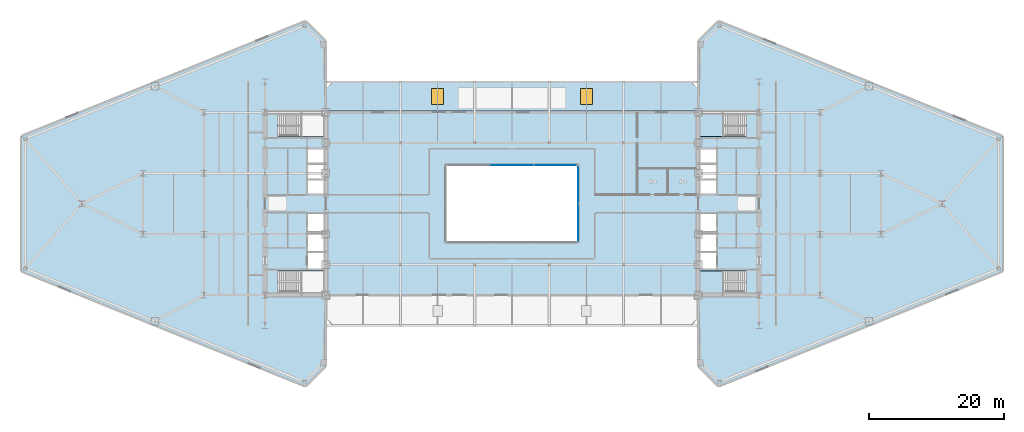
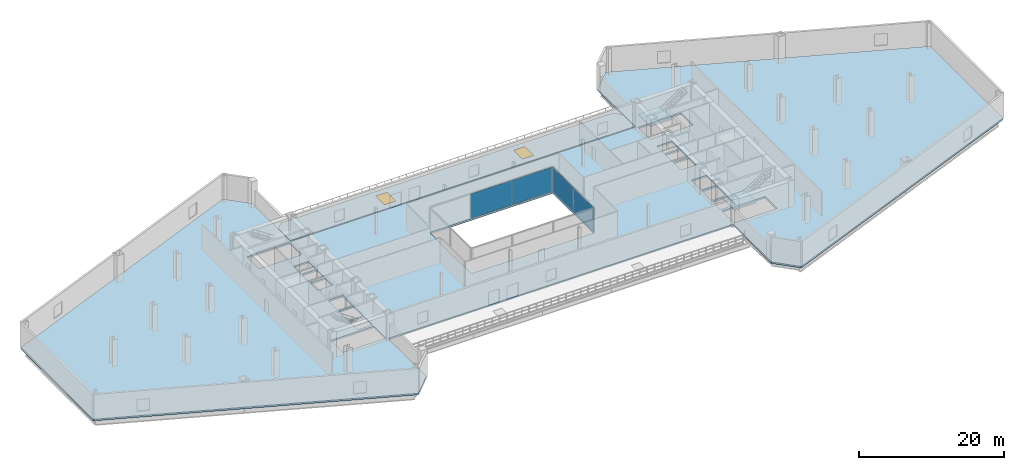
# One storey, part 14 of 23: 4 plates, 4 slabs, 2 windows, 2 openings, 4 elements without a shape of their own.
"""IFC4 building model written with IfcOpenShell, lengths in metres."""

import ifcopenshell
import ifcopenshell.guid

model = None  # the IFC model being written
_history = None  # IfcOwnerHistory: only IFC2X3 demands one
_inside = {}  # id of a spatial element -> (the spatial element, [elements in it])
_under = {}  # id of a project, library or spatial element -> (it, [spatial elements below it])
_declared = {}  # id of a project -> (the project, [libraries it declares])
_typed = {}  # id of a type object -> (the type object, [elements of that type])
_made_of = {}  # id of a material, layer set ... -> (it, [elements and type objects made of it])


def new_model(schema):
    """Start an empty IFC model of exactly this schema.

    Asked for "IFC4X3", IfcOpenShell would pick the latest addendum, in which some entities
    have other attributes; the version numbers below select the first issue.
    IFC2X3 requires an IfcOwnerHistory on every rooted entity: one is made here for all.
    """
    global model, _history
    if schema == "IFC4X3":
        model = ifcopenshell.file(schema_version=(4, 3, 0, 0))
    else:
        model = ifcopenshell.file(schema=schema)
    _inside.clear()
    _under.clear()
    _declared.clear()
    _typed.clear()
    _made_of.clear()
    _history = None
    if model.schema == "IFC2X3":
        org = make("IfcOrganization", Name="unknown")
        user = make(
            "IfcPersonAndOrganization",
            ThePerson=make("IfcPerson", FamilyName="unknown"),
            TheOrganization=org,
        )
        app = make(
            "IfcApplication",
            ApplicationDeveloper=org,
            Version="unknown",
            ApplicationFullName="unknown",
            ApplicationIdentifier="unknown",
        )
        _history = make(
            "IfcOwnerHistory",
            OwningUser=user,
            OwningApplication=app,
            ChangeAction="ADDED",
            CreationDate=0,
        )
    return model


def make(cls, **values):
    """One entity of the class cls with the attributes given. An attribute that is None is left unset."""
    return model.create_entity(
        cls, **{name: value for name, value in values.items() if value is not None}
    )


def rooted(cls, **values):
    """An entity with a GlobalId (a new one), such as an element, a storey or a relation."""
    return make(cls, GlobalId=ifcopenshell.guid.new(), OwnerHistory=_history, **values)


def si_unit(unit_type, name, prefix=None):
    """IfcSIUnit, for example si_unit("LENGTHUNIT", "METRE", prefix="MILLI")."""
    return make("IfcSIUnit", UnitType=unit_type, Prefix=prefix, Name=name)


def assignment(units):
    """IfcUnitAssignment: the units of a project."""
    return None if units is None else make("IfcUnitAssignment", Units=units)


def point(xyz):
    """IfcCartesianPoint."""
    return None if xyz is None else make("IfcCartesianPoint", Coordinates=xyz)


def direction(xyz):
    """IfcDirection."""
    return None if xyz is None else make("IfcDirection", DirectionRatios=xyz)


def frame(location, z_axis=None, x_axis=None):
    """IfcAxis2Placement3D, a coordinate frame: its origin and axes. An axis left out is left unset."""
    return make(
        "IfcAxis2Placement3D",
        Location=point(location),
        Axis=direction(z_axis),
        RefDirection=direction(x_axis),
    )


def frame_2d(location, x_axis=None):
    """IfcAxis2Placement2D, a coordinate frame in the plane: its origin and x axis."""
    return make(
        "IfcAxis2Placement2D", Location=point(location), RefDirection=direction(x_axis)
    )


def origin():
    """The frame at (0, 0, 0) with its axes left unset."""
    return frame((0.0, 0.0, 0.0))


def origin_2d():
    """The frame at (0, 0) in the plane with its x axis left unset."""
    return frame_2d((0.0, 0.0))


def place(relative_to, where):
    """IfcLocalPlacement: puts the frame where relative to a parent placement (None: the world)."""
    return make(
        "IfcLocalPlacement", PlacementRelTo=relative_to, RelativePlacement=where
    )


def context(
    kind, dimensions, precision=None, world=None, true_north=None, identifier=None
):
    """IfcGeometricRepresentationContext, for example the 3D "Model" context."""
    return make(
        "IfcGeometricRepresentationContext",
        ContextIdentifier=identifier,
        ContextType=kind,
        CoordinateSpaceDimension=dimensions,
        Precision=precision,
        WorldCoordinateSystem=world,
        TrueNorth=true_north,
    )


def subcontext(parent, identifier, kind, view, scale=None):
    """IfcGeometricRepresentationSubContext, for example "Body" below "Model"."""
    return make(
        "IfcGeometricRepresentationSubContext",
        ContextIdentifier=identifier,
        ContextType=kind,
        ParentContext=parent,
        TargetScale=scale,
        TargetView=view,
    )


def project(units=None, contexts=None):
    """IfcProject with its units and contexts."""
    return rooted(
        "IfcProject",
        Name="project",
        RepresentationContexts=contexts,
        UnitsInContext=assignment(units),
    )


def spatial(cls, under=None, at=None, **own):
    """A site, building, storey or space (cls), placed at a placement, below another one or the project."""
    s = rooted(cls, ObjectPlacement=at, **own)
    if under is not None:
        _under.setdefault(under.id(), (under, []))[1].append(s)
    return s


def polyline(points):
    """IfcPolyline through the points."""
    return make("IfcPolyline", Points=[point(p) for p in points])


def profile(cls, at=None, kind="AREA", **sizes):
    """A parametric profile (cls). Its sizes go by their IFC names, for example OverallWidth=200.0."""
    return make(cls, ProfileType=kind, Position=at, **sizes)


def rectangle(**sizes):
    """IfcRectangleProfileDef."""
    return profile("IfcRectangleProfileDef", **sizes)


def outline(outer, holes=None, kind="AREA"):
    """IfcArbitraryClosedProfileDef: a profile drawn as a closed curve; with holes, ...WithVoids."""
    if holes is None:
        return make("IfcArbitraryClosedProfileDef", ProfileType=kind, OuterCurve=outer)
    return make(
        "IfcArbitraryProfileDefWithVoids",
        ProfileType=kind,
        OuterCurve=outer,
        InnerCurves=holes,
    )


def extrude(swept, where, along, depth):
    """IfcExtrudedAreaSolid: the profile swept, set in the frame where, extruded along a direction by depth."""
    return make(
        "IfcExtrudedAreaSolid",
        SweptArea=swept,
        Position=where,
        ExtrudedDirection=direction(along),
        Depth=depth,
    )


def shape(context_of_items, identifier, shape_type, items):
    """IfcShapeRepresentation: the items that make up one representation, for example the "Body"."""
    return make(
        "IfcShapeRepresentation",
        ContextOfItems=context_of_items,
        RepresentationIdentifier=identifier,
        RepresentationType=shape_type,
        Items=items,
    )


def source(mapping_origin, context_of_items, identifier, shape_type, items):
    """IfcRepresentationMap: a shape defined once, which mapped items show again and again."""
    return make(
        "IfcRepresentationMap",
        MappingOrigin=mapping_origin,
        MappedRepresentation=shape(context_of_items, identifier, shape_type, items),
    )


def transform(
    local_origin,
    x_axis=None,
    y_axis=None,
    z_axis=None,
    scale=None,
    scale2=None,
    scale3=None,
    uniform=True,
):
    """IfcCartesianTransformationOperator3D, or its non-uniform kind. x_axis, y_axis, z_axis: its Axis1, 2, 3."""
    if uniform:
        return make(
            "IfcCartesianTransformationOperator3D",
            Axis1=direction(x_axis),
            Axis2=direction(y_axis),
            LocalOrigin=point(local_origin),
            Scale=scale,
            Axis3=direction(z_axis),
        )
    return make(
        "IfcCartesianTransformationOperator3DnonUniform",
        Axis1=direction(x_axis),
        Axis2=direction(y_axis),
        LocalOrigin=point(local_origin),
        Scale=scale,
        Axis3=direction(z_axis),
        Scale2=scale2,
        Scale3=scale3,
    )


def mapped(mapping_source, mapping_target):
    """IfcMappedItem: shows the shape of a source again, moved by a transform."""
    return make(
        "IfcMappedItem", MappingSource=mapping_source, MappingTarget=mapping_target
    )


def material(Name=None, Category=None):
    """IfcMaterial."""
    return make("IfcMaterial", Name=Name, Category=Category)


def layer(
    of_material, thickness, ventilated=None, Name=None, Category=None, Priority=None
):
    """IfcMaterialLayer: one layer of a wall or slab, of a material (None: an air gap)."""
    return make(
        "IfcMaterialLayer",
        Material=of_material,
        LayerThickness=thickness,
        IsVentilated=ventilated,
        Name=Name,
        Category=Category,
        Priority=Priority,
    )


def layer_set(layers, Name=None):
    """IfcMaterialLayerSet."""
    return make("IfcMaterialLayerSet", MaterialLayers=layers, LayerSetName=Name)


def made_of(thing, what):
    """Note that an element or type object is made of a material, layer set ...; save() writes the relation."""
    if what is not None:
        _made_of.setdefault(what.id(), (what, []))[1].append(thing)
    return thing


def type_object(cls, material=None, **own):
    """A type object (cls), such as IfcWallType, which elements share."""
    return made_of(rooted(cls, **own), material)


def type_shapes(of_type, sources):
    """Give a type object the sources (RepresentationMaps) that its elements show as mapped items."""
    of_type.RepresentationMaps = sources


def element(
    cls,
    number,
    at=None,
    inside=None,
    cuts=None,
    type_object=None,
    material=None,
    context=None,
    identifier="Body",
    shape_type=None,
    held_by="IfcProductDefinitionShape",
    body=None,
    shapes=None,
    **own,
):
    """One element of the class cls, such as IfcWall. Its Tag is "e" and its number.

    at: its placement. inside: the storey or other place that contains it. cuts: it is an
    opening in that element (IfcRelVoidsElement). A single representation is given by context,
    identifier, shape_type and body (its items); several are given by shapes. held_by: the class
    of the entity that holds the representations. save() writes the other relations.
    """
    e = rooted(cls, Tag="e%d" % number, ObjectPlacement=at, **own)
    if body is not None:
        shapes = [shape(context, identifier, shape_type, body)]
    if shapes is not None:
        e.Representation = make(held_by, Representations=shapes)
    if inside is not None:
        _inside.setdefault(inside.id(), (inside, []))[1].append(e)
    if cuts is not None:
        rooted(
            "IfcRelVoidsElement", RelatingBuildingElement=cuts, RelatedOpeningElement=e
        )
    if type_object is not None:
        _typed.setdefault(type_object.id(), (type_object, []))[1].append(e)
    return made_of(e, material)


def fill(opening, filler):
    """IfcRelFillsElement: the door or window that sits in an opening."""
    return rooted(
        "IfcRelFillsElement",
        RelatingOpeningElement=opening,
        RelatedBuildingElement=filler,
    )


def aggregate(whole, parts):
    """IfcRelAggregates: a whole, such as a stair, and the parts it consists of."""
    return rooted("IfcRelAggregates", RelatingObject=whole, RelatedObjects=parts)


def save(model, path):
    """Write the relations noted so far, then the file.

    IfcRelAggregates (storeys below a building ...), IfcRelContainedInSpatialStructure (elements
    in a storey), IfcRelDefinesByType, IfcRelAssociatesMaterial and IfcRelDeclares: one each for
    every whole, place, type object, material and project.
    """
    for whole, parts in _under.values():
        aggregate(whole, parts)
    for where, things in _inside.values():
        rooted(
            "IfcRelContainedInSpatialStructure",
            RelatedElements=things,
            RelatingStructure=where,
        )
    for kind, things in _typed.values():
        rooted("IfcRelDefinesByType", RelatedObjects=things, RelatingType=kind)
    for what, things in _made_of.values():
        rooted("IfcRelAssociatesMaterial", RelatedObjects=things, RelatingMaterial=what)
    for by, libraries in _declared.values():
        rooted("IfcRelDeclares", RelatingContext=by, RelatedDefinitions=libraries)
    model.write(path)


model = new_model("IFC4")

# Units and contexts
model_context = context("Model", 3, precision=1e-05, world=origin(), true_north=direction((0.0, 1.0)))
body_context = subcontext(model_context, "Body", "Model", "MODEL_VIEW")
ifc_project = project(units=[si_unit("LENGTHUNIT", "METRE"), si_unit("AREAUNIT", "SQUARE_METRE"), si_unit("VOLUMEUNIT", "CUBIC_METRE"), si_unit("PLANEANGLEUNIT", "RADIAN"), si_unit("MASSUNIT", "GRAM", prefix="KILO")], contexts=[model_context])

# Site, building, storey
site_placement = place(None, origin())
site = spatial("IfcSite", under=ifc_project, at=site_placement, CompositionType="ELEMENT")
building_placement = place(site_placement, origin())
building = spatial("IfcBuilding", under=site, at=building_placement, Name="Seokmaru Belvedere", CompositionType="ELEMENT")
storey_placement = place(building_placement, frame((0.0, 0.0, 14.39990234375)))
storey = spatial("IfcBuildingStorey", under=building, at=storey_placement, Name="L03", CompositionType="ELEMENT", Elevation=14.39990234375)

# Slab, openings, windows
ifc_material_1 = material(Name="Concrete C40 (40 MPa)", Category="concrete")
ifc_layer_1 = layer(ifc_material_1, 0.239990234375)
ifc_layer_set_1 = layer_set([ifc_layer_1], Name="Concrete C40 (40 MPa)")
slab_type_1 = type_object("IfcSlabType", Name="Planted Garden Terrace Slab 240", PredefinedType="ROOF", material=ifc_layer_set_1)
slab_1_placement = place(storey_placement, frame((0.0, 0.0, -0.239990234375)))
slab_1 = element("IfcSlab", 1, at=slab_1_placement, inside=storey, type_object=slab_type_1, Name="L03 Cascading Planted Garden Terrace North", PredefinedType="ROOF", context=body_context, shape_type="SweptSolid", body=[
    extrude(outline(polyline([(-27.449951171875, 13.659912109375), (27.449951171875, 13.659912109375), (27.449951171875, 17.0), (26.449951171875, 18.0), (-26.449951171875, 18.0), (-27.449951171875, 17.0), (-27.449951171875, 13.659912109375)])), origin(), (0.0, 0.0, 1.0), 0.239990234375),
])
opening_1_placement = place(slab_1_placement, frame((-11.0, 15.830078125, -0.010009765625)))
opening_1 = element("IfcOpeningElement", 2, at=opening_1_placement, cuts=slab_1, Name="Opening SK2", PredefinedType="OPENING", context=body_context, shape_type="SweptSolid", body=[
    extrude(rectangle(XDim=1.800048828125, YDim=2.39990234375, at=origin_2d()), origin(), (0.0, 0.0, 1.0), 0.260009765625),
])
opening_2_placement = place(slab_1_placement, frame((11.0, 15.830078125, -0.010009765625)))
opening_2 = element("IfcOpeningElement", 3, at=opening_2_placement, cuts=slab_1, Name="Opening SK2", PredefinedType="OPENING", context=body_context, shape_type="SweptSolid", body=[
    extrude(rectangle(XDim=1.800048828125, YDim=2.39990234375, at=origin_2d()), origin(), (0.0, 0.0, 1.0), 0.260009765625),
])
ifc_material_2 = material(Name="Bronze Triple Insulating Glass", Category="glass")
window_type = type_object("IfcWindowType", Name="Gallery Daylight Skylight 1800x2400", PartitioningType="SINGLE_PANEL", PredefinedType="SKYLIGHT", material=ifc_material_2)
window_1_placement = place(opening_1_placement, frame((0.0, 0.0, 0.199951171875)))
window_1 = element("IfcWindow", 4, at=window_1_placement, inside=storey, type_object=window_type, Name="L03 Podium Garden Rooflight 1", OverallHeight=2.39990234375, OverallWidth=1.800048828125, PartitioningType="SINGLE_PANEL", PredefinedType="SKYLIGHT", context=body_context, shape_type="SweptSolid", body=[
    extrude(rectangle(XDim=1.800048828125, YDim=2.39990234375, at=origin_2d()), origin(), (0.0, 0.0, 1.0), 0.050048828125),
])
fill(opening_1, window_1)
window_2_placement = place(opening_2_placement, frame((0.0, 0.0, 0.199951171875)))
window_2 = element("IfcWindow", 5, at=window_2_placement, inside=storey, type_object=window_type, Name="L03 Podium Garden Rooflight 2", OverallHeight=2.39990234375, OverallWidth=1.800048828125, PartitioningType="SINGLE_PANEL", PredefinedType="SKYLIGHT", context=body_context, shape_type="SweptSolid", body=[
    extrude(rectangle(XDim=1.800048828125, YDim=2.39990234375, at=origin_2d()), origin(), (0.0, 0.0, 1.0), 0.050048828125),
])
fill(opening_2, window_2)

# Slab
ifc_material_3 = material(Name="Concrete C50 (50 MPa)", Category="concrete")
ifc_layer_2 = layer(ifc_material_3, 0.280029296875)
ifc_layer_set_2 = layer_set([ifc_layer_2], Name="Concrete C50 (50 MPa)")
slab_type_2 = type_object("IfcSlabType", Name="Podium Composite Floor Slab 280", PredefinedType="FLOOR", material=ifc_layer_set_2)
slab_2_placement = place(storey_placement, frame((0.0, 0.0, -0.27978515625)))
element("IfcSlab", 6, at=slab_2_placement, inside=storey, type_object=slab_type_2, Name="L03 Structural Floor Slab", PredefinedType="FLOOR", context=body_context, shape_type="SweptSolid", body=[
    extrude(outline(polyline([(-72.5, -10.0), (-30.5, -27.0), (-27.5, -24.0), (-27.5, -13.5), (27.5, -13.5), (27.5, -24.0), (30.5, -27.0), (72.5, -10.0), (72.5, 10.0), (30.5, 27.0), (27.5, 24.0), (27.5, 13.5), (-27.5, 13.5), (-27.5, 24.0), (-30.5, 27.0), (-72.5, 10.0), (-72.5, -10.0)]), holes=[polyline([(-34.60009765625, -13.25), (-27.75, -13.25), (-27.75, -9.949951171875), (-34.60009765625, -9.949951171875), (-34.60009765625, -13.25)]), polyline([(-34.60009765625, 9.949951171875), (-27.75, 9.949951171875), (-27.75, 13.25), (-34.60009765625, 13.25), (-34.60009765625, 9.949951171875)]), polyline([(27.75, -13.25), (34.60009765625, -13.25), (34.60009765625, -9.949951171875), (27.75, -9.949951171875), (27.75, -13.25)]), polyline([(27.75, 9.949951171875), (34.60009765625, 9.949951171875), (34.60009765625, 13.25), (27.75, 13.25), (27.75, 9.949951171875)]), polyline([(-30.14990234375, -9.550048828125), (-27.75, -9.550048828125), (-27.75, -7.25), (-30.14990234375, -7.25), (-30.14990234375, -9.550048828125)]), polyline([(-30.14990234375, -6.949951171875), (-27.75, -6.949951171875), (-27.75, -4.35009765625), (-30.14990234375, -4.35009765625), (-30.14990234375, -6.949951171875)]), polyline([(-30.14990234375, -4.050048828125), (-27.75, -4.050048828125), (-27.75, -1.449951171875), (-30.14990234375, -1.449951171875), (-30.14990234375, -4.050048828125)]), polyline([(-30.14990234375, 1.449951171875), (-27.75, 1.449951171875), (-27.75, 3.449951171875), (-30.14990234375, 3.449951171875), (-30.14990234375, 1.449951171875)]), polyline([(-30.14990234375, 3.75), (-27.75, 3.75), (-27.75, 5.75), (-30.14990234375, 5.75), (-30.14990234375, 3.75)]), polyline([(-30.14990234375, 6.050048828125), (-27.75, 6.050048828125), (-27.75, 8.050048828125), (-30.14990234375, 8.050048828125), (-30.14990234375, 6.050048828125)]), polyline([(27.75, -9.550048828125), (30.14990234375, -9.550048828125), (30.14990234375, -7.25), (27.75, -7.25), (27.75, -9.550048828125)]), polyline([(27.75, -6.949951171875), (30.14990234375, -6.949951171875), (30.14990234375, -4.35009765625), (27.75, -4.35009765625), (27.75, -6.949951171875)]), polyline([(27.75, -4.050048828125), (30.14990234375, -4.050048828125), (30.14990234375, -1.449951171875), (27.75, -1.449951171875), (27.75, -4.050048828125)]), polyline([(27.75, 1.449951171875), (30.14990234375, 1.449951171875), (30.14990234375, 3.449951171875), (27.75, 3.449951171875), (27.75, 1.449951171875)]), polyline([(27.75, 3.75), (30.14990234375, 3.75), (30.14990234375, 5.75), (27.75, 5.75), (27.75, 3.75)]), polyline([(27.75, 6.050048828125), (30.14990234375, 6.050048828125), (30.14990234375, 8.050048828125), (27.75, 8.050048828125), (27.75, 6.050048828125)]), polyline([(-9.800048828125, -5.699951171875), (9.800048828125, -5.699951171875), (9.800048828125, 5.699951171875), (-9.800048828125, 5.699951171875), (-9.800048828125, -5.699951171875)])]), origin(), (0.0, 0.0, 1.0), 0.27978515625),
])

# Stair, slab
stair_type = type_object("IfcStairType", Name="Cascading Podium Core Dog-Leg Stair 4500", PredefinedType="TWO_STRAIGHT_RUN_STAIR", material=ifc_material_1)
stair_1_placement = place(storey_placement, origin())
stair_1 = element("IfcStair", 7, at=stair_1_placement, inside=storey, type_object=stair_type, Name="L03 Special Escape Stair ST-E1", PredefinedType="TWO_STRAIGHT_RUN_STAIR")
ifc_layer_3 = layer(ifc_material_1, 0.199951171875)
ifc_layer_set_3 = layer_set([ifc_layer_3], Name="Concrete C40 (40 MPa)")
slab_type_3 = type_object("IfcSlabType", Name="Reinforced Concrete Stair Landing Slab 200", PredefinedType="LANDING", material=ifc_layer_set_3)
slab_3_placement = place(storey_placement, frame((0.0, 0.0, 2.050048828125)))
slab_3 = element("IfcSlab", 8, at=slab_3_placement, type_object=slab_type_3, Name="ST-E1 landing 1", PredefinedType="LANDING", context=body_context, shape_type="SweptSolid", body=[
    extrude(outline(polyline([(27.760009765625, -13.239990234375), (31.320068359375, -13.239990234375), (31.320068359375, -9.949951171875), (27.760009765625, -9.949951171875), (27.760009765625, -13.239990234375)])), origin(), (0.0, 0.0, 1.0), 0.199951171875),
])
aggregate(stair_1, [slab_3])

stair_2_placement = place(storey_placement, origin())
stair_2 = element("IfcStair", 9, at=stair_2_placement, inside=storey, type_object=stair_type, Name="L03 Special Escape Stair ST-E2", PredefinedType="TWO_STRAIGHT_RUN_STAIR")
slab_4_placement = place(storey_placement, frame((0.0, 0.0, 2.050048828125)))
slab_4 = element("IfcSlab", 10, at=slab_4_placement, type_object=slab_type_3, Name="ST-E2 landing 1", PredefinedType="LANDING", context=body_context, shape_type="SweptSolid", body=[
    extrude(outline(polyline([(27.760009765625, 9.949951171875), (31.320068359375, 9.949951171875), (31.320068359375, 13.239990234375), (27.760009765625, 13.239990234375), (27.760009765625, 9.949951171875)])), origin(), (0.0, 0.0, 1.0), 0.199951171875),
])
aggregate(stair_2, [slab_4])

# Curtain wall, plates
ifc_layer_4 = layer(ifc_material_2, 0.219970703125)
ifc_layer_set_4 = layer_set([ifc_layer_4], Name="Bronze Triple Insulating Glass")
curtain_wall_type = type_object("IfcCurtainWallType", Name="Podium Concourse Curtain Wall System CW-1", PredefinedType="NOTDEFINED", material=ifc_layer_set_4)
curtain_wall_1_placement = place(storey_placement, origin())
curtain_wall_1 = element("IfcCurtainWall", 11, at=curtain_wall_1_placement, inside=storey, type_object=curtain_wall_type, Name="L03 Curtain Wall AT_N", PredefinedType="NOTDEFINED")
ifc_layer_5 = layer(ifc_material_2, 0.035888671875)
ifc_layer_set_5 = layer_set([ifc_layer_5], Name="Bronze Triple Insulating Glass")
plate_type = type_object("IfcPlateType", Name="Bronze Triple Vision Glazing Panel 36", PredefinedType="CURTAIN_PANEL", material=ifc_layer_set_5)
shared_shape_1 = source(origin(), body_context, "Body", "SweptSolid", [
    extrude(rectangle(XDim=6.39990234375, YDim=0.035888671875, at=origin_2d()), origin(), (0.0, 0.0, 1.0), 4.1298828125),
])
plate_1_placement = place(storey_placement, frame((6.5, 5.699951171875, 0.0751953125), z_axis=(0.0, 0.0, 1.0), x_axis=(-1.0, 0.0, 0.0)))
plate_1 = element("IfcPlate", 12, at=plate_1_placement, type_object=plate_type, Name="CW:L03:AT_N Glazing Panel 1-1", PredefinedType="CURTAIN_PANEL", context=body_context, shape_type="MappedRepresentation", body=[
    mapped(shared_shape_1, transform((0.0, 0.0, 0.0), scale=1.0)),
])
shared_shape_2 = source(origin(), body_context, "Body", "SweptSolid", [
    extrude(rectangle(XDim=6.43994140625, YDim=0.035888671875, at=origin_2d()), origin(), (0.0, 0.0, 1.0), 4.1298828125),
])
plate_2_placement = place(storey_placement, frame((0.0, 5.699951171875, 0.0751953125), z_axis=(0.0, 0.0, 1.0), x_axis=(-1.0, 0.0, 0.0)))
plate_2 = element("IfcPlate", 13, at=plate_2_placement, type_object=plate_type, Name="CW:L03:AT_N Glazing Panel 2-1", PredefinedType="CURTAIN_PANEL", context=body_context, shape_type="MappedRepresentation", body=[
    mapped(shared_shape_2, transform((0.0, 0.0, 0.0), scale=1.0)),
])
aggregate(curtain_wall_1, [plate_1, plate_2])

curtain_wall_2_placement = place(storey_placement, origin())
curtain_wall_2 = element("IfcCurtainWall", 14, at=curtain_wall_2_placement, inside=storey, type_object=curtain_wall_type, Name="L03 Curtain Wall AT_E", PredefinedType="NOTDEFINED")
shared_shape_3 = source(origin(), body_context, "Body", "SweptSolid", [
    extrude(rectangle(XDim=5.56005859375, YDim=0.035888671875, at=origin_2d()), origin(), (0.0, 0.0, 1.0), 4.1298828125),
])
type_shapes(plate_type, [shared_shape_1, shared_shape_2, shared_shape_3])
plate_3_placement = place(storey_placement, frame((9.800048828125, -2.820068359375, 0.0751953125), z_axis=(0.0, 0.0, 1.0), x_axis=(0.0, 1.0, 0.0)))
plate_3 = element("IfcPlate", 15, at=plate_3_placement, type_object=plate_type, Name="CW:L03:AT_E Glazing Panel 1-1", PredefinedType="CURTAIN_PANEL", context=body_context, shape_type="MappedRepresentation", body=[
    mapped(shared_shape_3, transform((0.0, 0.0, 0.0), scale=1.0)),
])
plate_4_placement = place(storey_placement, frame((9.800048828125, 2.820068359375, 0.0751953125), z_axis=(0.0, 0.0, 1.0), x_axis=(0.0, 1.0, 0.0)))
plate_4 = element("IfcPlate", 16, at=plate_4_placement, type_object=plate_type, Name="CW:L03:AT_E Glazing Panel 2-1", PredefinedType="CURTAIN_PANEL", context=body_context, shape_type="MappedRepresentation", body=[
    mapped(shared_shape_3, transform((0.0, 0.0, 0.0), scale=1.0)),
])
aggregate(curtain_wall_2, [plate_3, plate_4])

save(model, "model.ifc")
